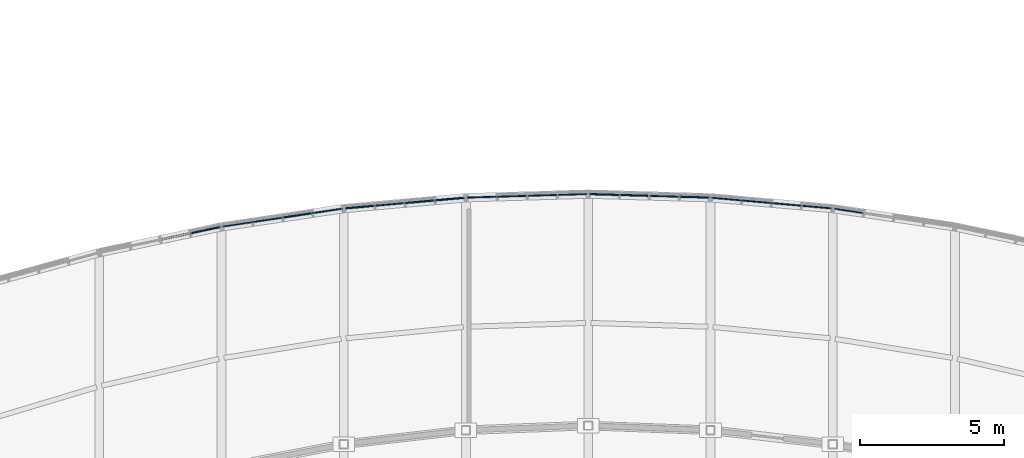
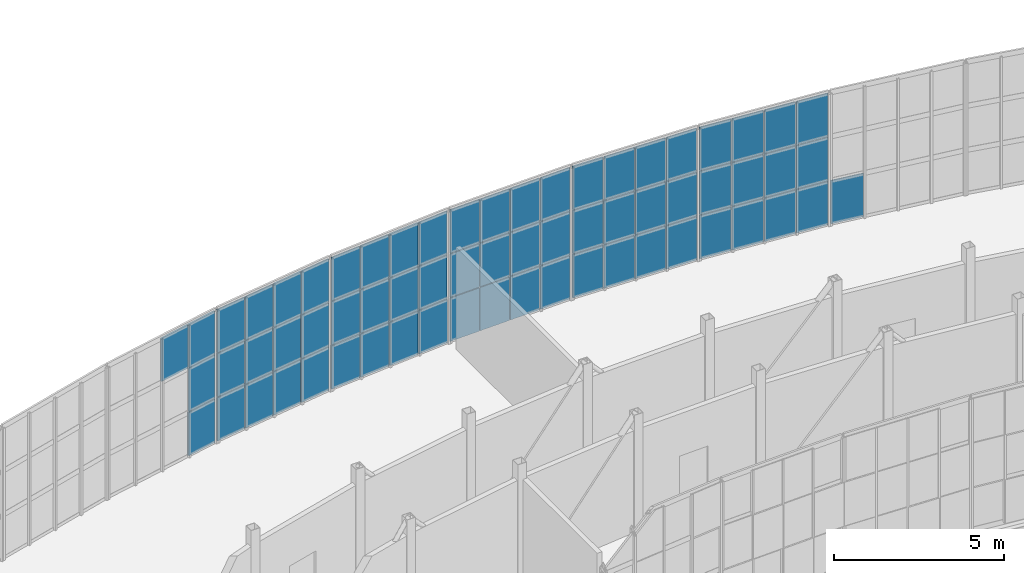
# One storey, part 60 of 86: 65 plates, 7 elements without a shape of their own.
"""IFC4 building model written with IfcOpenShell, lengths in metres."""

from ifc_helpers import new_model, si_unit, direction, frame, origin, origin_2d, place, context, subcontext, project, spatial, rectangle, extrude, material, layer, layer_set, type_object, element, aggregate, save


model = new_model("IFC4")

# Units and contexts
model_context = context("Model", 3, precision=1e-05, world=origin(), true_north=direction((0.0, 1.0)))
body_context = subcontext(model_context, "Body", "Model", "MODEL_VIEW")
ifc_project = project(units=[si_unit("LENGTHUNIT", "METRE"), si_unit("AREAUNIT", "SQUARE_METRE"), si_unit("VOLUMEUNIT", "CUBIC_METRE"), si_unit("PLANEANGLEUNIT", "RADIAN"), si_unit("MASSUNIT", "GRAM", prefix="KILO")], contexts=[model_context])

# Site, building, storey
site_placement = place(None, origin())
site = spatial("IfcSite", under=ifc_project, at=site_placement, CompositionType="ELEMENT")
building_placement = place(site_placement, origin())
building = spatial("IfcBuilding", under=site, at=building_placement, Name="Solvikara Media Centre", CompositionType="ELEMENT")
storey_placement = place(building_placement, frame((0.0, 0.0, 15.0)))
storey = spatial("IfcBuildingStorey", under=building, at=storey_placement, Name="L03", CompositionType="ELEMENT", Elevation=15.0)

# Curtain wall, plate
ifc_material_1 = material(Name="Anodised aluminium EN AW-6063", Category="aluminium")
curtain_wall_type = type_object("IfcCurtainWallType", Name="CW-02", PredefinedType="NOTDEFINED", material=ifc_material_1)
curtain_wall_1_placement = place(storey_placement, origin())
curtain_wall_1 = element("IfcCurtainWall", 1, at=curtain_wall_1_placement, inside=storey, type_object=curtain_wall_type, Name="CW-L03-NARC-02", PredefinedType="NOTDEFINED")
ifc_material_2 = material(Name="Laminated solar-control cyan vision glass", Category="glass")
ifc_layer_1 = layer(ifc_material_2, 0.035888671875)
ifc_layer_set_1 = layer_set([ifc_layer_1], Name="Laminated solar-control cyan vision glass")
plate_type_1 = type_object("IfcPlateType", Name="PN-01", PredefinedType="CURTAIN_PANEL", material=ifc_layer_set_1)
plate_1_placement = place(storey_placement, frame((88.693115234375, 40.2109375, 1.62158203125), z_axis=(0.0, 0.0, 1.0), x_axis=(0.97837923005, 0.206818959981, 0.0)))
plate_1 = element("IfcPlate", 2, at=plate_1_placement, type_object=plate_type_1, Name="CW-L03-NARC-02-P0301", PredefinedType="CURTAIN_PANEL", context=body_context, shape_type="SweptSolid", body=[
    extrude(rectangle(XDim=1.0390625, YDim=0.035888671875, at=origin_2d()), origin(), (0.0, 0.0, 1.0), 1.556884765625),
])

# Curtain wall, plates
curtain_wall_2_placement = place(storey_placement, origin())
curtain_wall_2 = element("IfcCurtainWall", 3, at=curtain_wall_2_placement, inside=storey, type_object=curtain_wall_type, Name="CW-L03-NARC-03", PredefinedType="NOTDEFINED")
plate_2_placement = place(storey_placement, frame((89.806884765625, 40.412109375, 0.03466796875), z_axis=(0.0, 0.0, 1.0), x_axis=(0.989005541908, 0.147878457102, 0.0)))
plate_2 = element("IfcPlate", 4, at=plate_2_placement, type_object=plate_type_1, Name="CW-L03-NARC-03-P0000", PredefinedType="CURTAIN_PANEL", context=body_context, shape_type="SweptSolid", body=[
    extrude(rectangle(XDim=1.027099609375, YDim=0.035888671875, at=origin_2d()), origin(), (0.0, 0.0, 1.0), 1.556884765625),
])
plate_3_placement = place(storey_placement, frame((89.806884765625, 40.412109375, 1.62158203125), z_axis=(0.0, 0.0, 1.0), x_axis=(0.989005541908, 0.147878457102, 0.0)))
plate_3 = element("IfcPlate", 5, at=plate_3_placement, type_object=plate_type_1, Name="CW-L03-NARC-03-P0001", PredefinedType="CURTAIN_PANEL", context=body_context, shape_type="SweptSolid", body=[
    extrude(rectangle(XDim=1.027099609375, YDim=0.035888671875, at=origin_2d()), origin(), (0.0, 0.0, 1.0), 1.556884765625),
])
plate_4_placement = place(storey_placement, frame((89.806884765625, 40.412109375, 3.20849609375), z_axis=(0.0, 0.0, 1.0), x_axis=(0.989005541908, 0.147878457102, 0.0)))
plate_4 = element("IfcPlate", 6, at=plate_4_placement, type_object=plate_type_1, Name="CW-L03-NARC-03-P0002", PredefinedType="CURTAIN_PANEL", context=body_context, shape_type="SweptSolid", body=[
    extrude(rectangle(XDim=1.027099609375, YDim=0.035888671875, at=origin_2d()), origin(), (0.0, 0.0, 1.0), 1.556884765625),
])
plate_5_placement = place(storey_placement, frame((90.85302734375, 40.568115234375, 1.62158203125), z_axis=(0.0, 0.0, 1.0), x_axis=(0.989005541908, 0.147878457102, 0.0)))
plate_5 = element("IfcPlate", 7, at=plate_5_placement, type_object=plate_type_1, Name="CW-L03-NARC-03-P0101", PredefinedType="CURTAIN_PANEL", context=body_context, shape_type="SweptSolid", body=[
    extrude(rectangle(XDim=1.027099609375, YDim=0.035888671875, at=origin_2d()), origin(), (0.0, 0.0, 1.0), 1.556884765625),
])
plate_6_placement = place(storey_placement, frame((91.89794921875, 40.72509765625, 0.03466796875), z_axis=(0.0, 0.0, 1.0), x_axis=(0.989005541908, 0.147878457102, 0.0)))
plate_6 = element("IfcPlate", 8, at=plate_6_placement, type_object=plate_type_1, Name="CW-L03-NARC-03-P0200", PredefinedType="CURTAIN_PANEL", context=body_context, shape_type="SweptSolid", body=[
    extrude(rectangle(XDim=1.027099609375, YDim=0.035888671875, at=origin_2d()), origin(), (0.0, 0.0, 1.0), 1.556884765625),
])
plate_7_placement = place(storey_placement, frame((91.89794921875, 40.72509765625, 1.62158203125), z_axis=(0.0, 0.0, 1.0), x_axis=(0.989005541908, 0.147878457102, 0.0)))
plate_7 = element("IfcPlate", 9, at=plate_7_placement, type_object=plate_type_1, Name="CW-L03-NARC-03-P0201", PredefinedType="CURTAIN_PANEL", context=body_context, shape_type="SweptSolid", body=[
    extrude(rectangle(XDim=1.027099609375, YDim=0.035888671875, at=origin_2d()), origin(), (0.0, 0.0, 1.0), 1.556884765625),
])
plate_8_placement = place(storey_placement, frame((92.94189453125, 40.881103515625, 0.03466796875), z_axis=(0.0, 0.0, 1.0), x_axis=(0.989005541908, 0.147878457102, 0.0)))
plate_8 = element("IfcPlate", 10, at=plate_8_placement, type_object=plate_type_1, Name="CW-L03-NARC-03-P0300", PredefinedType="CURTAIN_PANEL", context=body_context, shape_type="SweptSolid", body=[
    extrude(rectangle(XDim=1.027099609375, YDim=0.035888671875, at=origin_2d()), origin(), (0.0, 0.0, 1.0), 1.556884765625),
])

curtain_wall_3_placement = place(storey_placement, origin())
curtain_wall_3 = element("IfcCurtainWall", 11, at=curtain_wall_3_placement, inside=storey, type_object=curtain_wall_type, Name="CW-L03-NARC-04", PredefinedType="NOTDEFINED")
plate_9_placement = place(storey_placement, frame((94.05810546875, 41.012939453125, 1.62158203125), z_axis=(0.0, 0.0, 1.0), x_axis=(0.99608438842, 0.088407528781, 0.0)))
plate_9 = element("IfcPlate", 12, at=plate_9_placement, type_object=plate_type_1, Name="CW-L03-NARC-04-P0001", PredefinedType="CURTAIN_PANEL", context=body_context, shape_type="SweptSolid", body=[
    extrude(rectangle(XDim=1.01904296875, YDim=0.035888671875, at=origin_2d()), origin(), (0.0, 0.0, 1.0), 1.556884765625),
])
plate_10_placement = place(storey_placement, frame((94.05810546875, 41.012939453125, 3.20849609375), z_axis=(0.0, 0.0, 1.0), x_axis=(0.99608438842, 0.088407528781, 0.0)))
plate_10 = element("IfcPlate", 13, at=plate_10_placement, type_object=plate_type_1, Name="CW-L03-NARC-04-P0002", PredefinedType="CURTAIN_PANEL", context=body_context, shape_type="SweptSolid", body=[
    extrude(rectangle(XDim=1.01904296875, YDim=0.035888671875, at=origin_2d()), origin(), (0.0, 0.0, 1.0), 1.556884765625),
])
plate_11_placement = place(storey_placement, frame((95.10302734375, 41.10595703125, 1.62158203125), z_axis=(0.0, 0.0, 1.0), x_axis=(0.99608438842, 0.088407528781, 0.0)))
plate_11 = element("IfcPlate", 14, at=plate_11_placement, type_object=plate_type_1, Name="CW-L03-NARC-04-P0101", PredefinedType="CURTAIN_PANEL", context=body_context, shape_type="SweptSolid", body=[
    extrude(rectangle(XDim=1.01904296875, YDim=0.035888671875, at=origin_2d()), origin(), (0.0, 0.0, 1.0), 1.556884765625),
])
plate_12_placement = place(storey_placement, frame((97.193115234375, 41.2919921875, 3.20849609375), z_axis=(0.0, 0.0, 1.0), x_axis=(0.99608438842, 0.088407528781, 0.0)))
plate_12 = element("IfcPlate", 15, at=plate_12_placement, type_object=plate_type_1, Name="CW-L03-NARC-04-P0302", PredefinedType="CURTAIN_PANEL", context=body_context, shape_type="SweptSolid", body=[
    extrude(rectangle(XDim=1.01904296875, YDim=0.035888671875, at=origin_2d()), origin(), (0.0, 0.0, 1.0), 1.556884765625),
])

curtain_wall_4_placement = place(storey_placement, origin())
curtain_wall_4 = element("IfcCurtainWall", 16, at=curtain_wall_4_placement, inside=storey, type_object=curtain_wall_type, Name="CW-L03-NARC-05", PredefinedType="NOTDEFINED")
plate_13_placement = place(storey_placement, frame((99.35205078125, 41.387939453125, 0.03466796875), z_axis=(0.0, 0.0, 1.0), x_axis=(0.999560377741, 0.02964879847, 0.0)))
plate_13 = element("IfcPlate", 17, at=plate_13_placement, type_object=plate_type_1, Name="CW-L03-NARC-05-P0100", PredefinedType="CURTAIN_PANEL", context=body_context, shape_type="SweptSolid", body=[
    extrude(rectangle(XDim=1.014892578125, YDim=0.035888671875, at=origin_2d()), origin(), (0.0, 0.0, 1.0), 1.556884765625),
])
plate_14_placement = place(storey_placement, frame((99.35205078125, 41.387939453125, 3.20849609375), z_axis=(0.0, 0.0, 1.0), x_axis=(0.999560377741, 0.02964879847, 0.0)))
plate_14 = element("IfcPlate", 18, at=plate_14_placement, type_object=plate_type_1, Name="CW-L03-NARC-05-P0102", PredefinedType="CURTAIN_PANEL", context=body_context, shape_type="SweptSolid", body=[
    extrude(rectangle(XDim=1.014892578125, YDim=0.035888671875, at=origin_2d()), origin(), (0.0, 0.0, 1.0), 1.556884765625),
])
plate_15_placement = place(storey_placement, frame((100.39794921875, 41.419921875, 0.03466796875), z_axis=(0.0, 0.0, 1.0), x_axis=(0.999560377741, 0.02964879847, 0.0)))
plate_15 = element("IfcPlate", 19, at=plate_15_placement, type_object=plate_type_1, Name="CW-L03-NARC-05-P0200", PredefinedType="CURTAIN_PANEL", context=body_context, shape_type="SweptSolid", body=[
    extrude(rectangle(XDim=1.014892578125, YDim=0.035888671875, at=origin_2d()), origin(), (0.0, 0.0, 1.0), 1.556884765625),
])
plate_16_placement = place(storey_placement, frame((100.39794921875, 41.419921875, 1.62158203125), z_axis=(0.0, 0.0, 1.0), x_axis=(0.999560377741, 0.02964879847, 0.0)))
plate_16 = element("IfcPlate", 20, at=plate_16_placement, type_object=plate_type_1, Name="CW-L03-NARC-05-P0201", PredefinedType="CURTAIN_PANEL", context=body_context, shape_type="SweptSolid", body=[
    extrude(rectangle(XDim=1.014892578125, YDim=0.035888671875, at=origin_2d()), origin(), (0.0, 0.0, 1.0), 1.556884765625),
])
plate_17_placement = place(storey_placement, frame((101.44189453125, 41.449951171875, 0.03466796875), z_axis=(0.0, 0.0, 1.0), x_axis=(0.999560377741, 0.02964879847, 0.0)))
plate_17 = element("IfcPlate", 21, at=plate_17_placement, type_object=plate_type_1, Name="CW-L03-NARC-05-P0300", PredefinedType="CURTAIN_PANEL", context=body_context, shape_type="SweptSolid", body=[
    extrude(rectangle(XDim=1.014892578125, YDim=0.035888671875, at=origin_2d()), origin(), (0.0, 0.0, 1.0), 1.556884765625),
])
plate_18_placement = place(storey_placement, frame((101.44189453125, 41.449951171875, 3.20849609375), z_axis=(0.0, 0.0, 1.0), x_axis=(0.999560377741, 0.02964879847, 0.0)))
plate_18 = element("IfcPlate", 22, at=plate_18_placement, type_object=plate_type_1, Name="CW-L03-NARC-05-P0302", PredefinedType="CURTAIN_PANEL", context=body_context, shape_type="SweptSolid", body=[
    extrude(rectangle(XDim=1.014892578125, YDim=0.035888671875, at=origin_2d()), origin(), (0.0, 0.0, 1.0), 1.556884765625),
])

curtain_wall_5_placement = place(storey_placement, origin())
curtain_wall_5 = element("IfcCurtainWall", 23, at=curtain_wall_5_placement, inside=storey, type_object=curtain_wall_type, Name="CW-L03-NARC-06", PredefinedType="NOTDEFINED")
plate_19_placement = place(storey_placement, frame((102.55810546875, 41.449951171875, 1.62158203125), z_axis=(0.0, 0.0, 1.0), x_axis=(0.999560377741, -0.02964879847, 0.0)))
plate_19 = element("IfcPlate", 24, at=plate_19_placement, type_object=plate_type_1, Name="CW-L03-NARC-06-P0001", PredefinedType="CURTAIN_PANEL", context=body_context, shape_type="SweptSolid", body=[
    extrude(rectangle(XDim=1.014892578125, YDim=0.035888671875, at=origin_2d()), origin(), (0.0, 0.0, 1.0), 1.556884765625),
])
plate_20_placement = place(storey_placement, frame((103.60205078125, 41.419921875, 3.20849609375), z_axis=(0.0, 0.0, 1.0), x_axis=(0.999560377741, -0.02964879847, 0.0)))
plate_20 = element("IfcPlate", 25, at=plate_20_placement, type_object=plate_type_1, Name="CW-L03-NARC-06-P0102", PredefinedType="CURTAIN_PANEL", context=body_context, shape_type="SweptSolid", body=[
    extrude(rectangle(XDim=1.014892578125, YDim=0.035888671875, at=origin_2d()), origin(), (0.0, 0.0, 1.0), 1.556884765625),
])
plate_21_placement = place(storey_placement, frame((104.64794921875, 41.387939453125, 0.03466796875), z_axis=(0.0, 0.0, 1.0), x_axis=(0.999560377741, -0.02964879847, 0.0)))
plate_21 = element("IfcPlate", 26, at=plate_21_placement, type_object=plate_type_1, Name="CW-L03-NARC-06-P0200", PredefinedType="CURTAIN_PANEL", context=body_context, shape_type="SweptSolid", body=[
    extrude(rectangle(XDim=1.014892578125, YDim=0.035888671875, at=origin_2d()), origin(), (0.0, 0.0, 1.0), 1.556884765625),
])
plate_22_placement = place(storey_placement, frame((105.69189453125, 41.35791015625, 3.20849609375), z_axis=(0.0, 0.0, 1.0), x_axis=(0.999560377741, -0.02964879847, 0.0)))
plate_22 = element("IfcPlate", 27, at=plate_22_placement, type_object=plate_type_1, Name="CW-L03-NARC-06-P0302", PredefinedType="CURTAIN_PANEL", context=body_context, shape_type="SweptSolid", body=[
    extrude(rectangle(XDim=1.014892578125, YDim=0.035888671875, at=origin_2d()), origin(), (0.0, 0.0, 1.0), 1.556884765625),
])

curtain_wall_6_placement = place(storey_placement, origin())
curtain_wall_6 = element("IfcCurtainWall", 28, at=curtain_wall_6_placement, inside=storey, type_object=curtain_wall_type, Name="CW-L03-NARC-07", PredefinedType="NOTDEFINED")
plate_23_placement = place(storey_placement, frame((107.85302734375, 41.198974609375, 0.03466796875), z_axis=(0.0, 0.0, 1.0), x_axis=(0.99608438842, -0.088407528781, 0.0)))
plate_23 = element("IfcPlate", 29, at=plate_23_placement, type_object=plate_type_1, Name="CW-L03-NARC-07-P0100", PredefinedType="CURTAIN_PANEL", context=body_context, shape_type="SweptSolid", body=[
    extrude(rectangle(XDim=1.01904296875, YDim=0.035888671875, at=origin_2d()), origin(), (0.0, 0.0, 1.0), 1.556884765625),
])
plate_24_placement = place(storey_placement, frame((107.85302734375, 41.198974609375, 3.20849609375), z_axis=(0.0, 0.0, 1.0), x_axis=(0.99608438842, -0.088407528781, 0.0)))
plate_24 = element("IfcPlate", 30, at=plate_24_placement, type_object=plate_type_1, Name="CW-L03-NARC-07-P0102", PredefinedType="CURTAIN_PANEL", context=body_context, shape_type="SweptSolid", body=[
    extrude(rectangle(XDim=1.01904296875, YDim=0.035888671875, at=origin_2d()), origin(), (0.0, 0.0, 1.0), 1.556884765625),
])
plate_25_placement = place(storey_placement, frame((109.943115234375, 41.012939453125, 1.62158203125), z_axis=(0.0, 0.0, 1.0), x_axis=(0.99608438842, -0.088407528781, 0.0)))
plate_25 = element("IfcPlate", 31, at=plate_25_placement, type_object=plate_type_1, Name="CW-L03-NARC-07-P0301", PredefinedType="CURTAIN_PANEL", context=body_context, shape_type="SweptSolid", body=[
    extrude(rectangle(XDim=1.01904296875, YDim=0.035888671875, at=origin_2d()), origin(), (0.0, 0.0, 1.0), 1.556884765625),
])
plate_26_placement = place(storey_placement, frame((109.943115234375, 41.012939453125, 3.20849609375), z_axis=(0.0, 0.0, 1.0), x_axis=(0.99608438842, -0.088407528781, 0.0)))
plate_26 = element("IfcPlate", 32, at=plate_26_placement, type_object=plate_type_1, Name="CW-L03-NARC-07-P0302", PredefinedType="CURTAIN_PANEL", context=body_context, shape_type="SweptSolid", body=[
    extrude(rectangle(XDim=1.01904296875, YDim=0.035888671875, at=origin_2d()), origin(), (0.0, 0.0, 1.0), 1.556884765625),
])

# Curtain wall, plate
curtain_wall_7_placement = place(storey_placement, origin())
curtain_wall_7 = element("IfcCurtainWall", 33, at=curtain_wall_7_placement, inside=storey, type_object=curtain_wall_type, Name="CW-L03-NARC-08", PredefinedType="NOTDEFINED")
plate_27_placement = place(storey_placement, frame((111.056884765625, 40.881103515625, 0.03466796875), z_axis=(0.0, 0.0, 1.0), x_axis=(0.989005541908, -0.147878457102, 0.0)))
plate_27 = element("IfcPlate", 34, at=plate_27_placement, type_object=plate_type_1, Name="CW-L03-NARC-08-P0000", PredefinedType="CURTAIN_PANEL", context=body_context, shape_type="SweptSolid", body=[
    extrude(rectangle(XDim=1.027099609375, YDim=0.035888671875, at=origin_2d()), origin(), (0.0, 0.0, 1.0), 1.556884765625),
])
aggregate(curtain_wall_7, [plate_27])

# Plate
ifc_material_3 = material(Name="Ceramic-fritted teal low-E glass", Category="glass")
ifc_layer_2 = layer(ifc_material_3, 0.0419921875)
ifc_layer_set_2 = layer_set([ifc_layer_2], Name="Ceramic-fritted teal low-E glass")
plate_type_2 = type_object("IfcPlateType", Name="PN-02", PredefinedType="CURTAIN_PANEL", material=ifc_layer_set_2)
plate_28_placement = place(storey_placement, frame((88.693115234375, 40.2109375, 0.03466796875), z_axis=(0.0, 0.0, 1.0), x_axis=(0.97837923005, 0.206818959981, 0.0)))
plate_28 = element("IfcPlate", 35, at=plate_28_placement, type_object=plate_type_2, Name="CW-L03-NARC-02-P0300", PredefinedType="CURTAIN_PANEL", context=body_context, shape_type="SweptSolid", body=[
    extrude(rectangle(XDim=1.0390625, YDim=0.0419921875, at=origin_2d()), origin(), (0.0, 0.0, 1.0), 1.556884765625),
])

plate_29_placement = place(storey_placement, frame((90.85302734375, 40.568115234375, 0.03466796875), z_axis=(0.0, 0.0, 1.0), x_axis=(0.989005541908, 0.147878457102, 0.0)))
plate_29 = element("IfcPlate", 36, at=plate_29_placement, type_object=plate_type_2, Name="CW-L03-NARC-03-P0100", PredefinedType="CURTAIN_PANEL", context=body_context, shape_type="SweptSolid", body=[
    extrude(rectangle(XDim=1.027099609375, YDim=0.0419921875, at=origin_2d()), origin(), (0.0, 0.0, 1.0), 1.556884765625),
])

plate_30_placement = place(storey_placement, frame((90.85302734375, 40.568115234375, 3.20849609375), z_axis=(0.0, 0.0, 1.0), x_axis=(0.989005541908, 0.147878457102, 0.0)))
plate_30 = element("IfcPlate", 37, at=plate_30_placement, type_object=plate_type_2, Name="CW-L03-NARC-03-P0102", PredefinedType="CURTAIN_PANEL", context=body_context, shape_type="SweptSolid", body=[
    extrude(rectangle(XDim=1.027099609375, YDim=0.0419921875, at=origin_2d()), origin(), (0.0, 0.0, 1.0), 1.556884765625),
])

plate_31_placement = place(storey_placement, frame((92.94189453125, 40.881103515625, 1.62158203125), z_axis=(0.0, 0.0, 1.0), x_axis=(0.989005541908, 0.147878457102, 0.0)))
plate_31 = element("IfcPlate", 38, at=plate_31_placement, type_object=plate_type_2, Name="CW-L03-NARC-03-P0301", PredefinedType="CURTAIN_PANEL", context=body_context, shape_type="SweptSolid", body=[
    extrude(rectangle(XDim=1.027099609375, YDim=0.0419921875, at=origin_2d()), origin(), (0.0, 0.0, 1.0), 1.556884765625),
])

plate_32_placement = place(storey_placement, frame((92.94189453125, 40.881103515625, 3.20849609375), z_axis=(0.0, 0.0, 1.0), x_axis=(0.989005541908, 0.147878457102, 0.0)))
plate_32 = element("IfcPlate", 39, at=plate_32_placement, type_object=plate_type_2, Name="CW-L03-NARC-03-P0302", PredefinedType="CURTAIN_PANEL", context=body_context, shape_type="SweptSolid", body=[
    extrude(rectangle(XDim=1.027099609375, YDim=0.0419921875, at=origin_2d()), origin(), (0.0, 0.0, 1.0), 1.556884765625),
])

plate_33_placement = place(storey_placement, frame((95.10302734375, 41.10595703125, 0.03466796875), z_axis=(0.0, 0.0, 1.0), x_axis=(0.99608438842, 0.088407528781, 0.0)))
plate_33 = element("IfcPlate", 40, at=plate_33_placement, type_object=plate_type_2, Name="CW-L03-NARC-04-P0100", PredefinedType="CURTAIN_PANEL", context=body_context, shape_type="SweptSolid", body=[
    extrude(rectangle(XDim=1.01904296875, YDim=0.0419921875, at=origin_2d()), origin(), (0.0, 0.0, 1.0), 1.556884765625),
])

plate_34_placement = place(storey_placement, frame((95.10302734375, 41.10595703125, 3.20849609375), z_axis=(0.0, 0.0, 1.0), x_axis=(0.99608438842, 0.088407528781, 0.0)))
plate_34 = element("IfcPlate", 41, at=plate_34_placement, type_object=plate_type_2, Name="CW-L03-NARC-04-P0102", PredefinedType="CURTAIN_PANEL", context=body_context, shape_type="SweptSolid", body=[
    extrude(rectangle(XDim=1.01904296875, YDim=0.0419921875, at=origin_2d()), origin(), (0.0, 0.0, 1.0), 1.556884765625),
])

plate_35_placement = place(storey_placement, frame((96.14794921875, 41.198974609375, 1.62158203125), z_axis=(0.0, 0.0, 1.0), x_axis=(0.99608438842, 0.088407528781, 0.0)))
plate_35 = element("IfcPlate", 42, at=plate_35_placement, type_object=plate_type_2, Name="CW-L03-NARC-04-P0201", PredefinedType="CURTAIN_PANEL", context=body_context, shape_type="SweptSolid", body=[
    extrude(rectangle(XDim=1.01904296875, YDim=0.0419921875, at=origin_2d()), origin(), (0.0, 0.0, 1.0), 1.556884765625),
])

plate_36_placement = place(storey_placement, frame((97.193115234375, 41.2919921875, 1.62158203125), z_axis=(0.0, 0.0, 1.0), x_axis=(0.99608438842, 0.088407528781, 0.0)))
plate_36 = element("IfcPlate", 43, at=plate_36_placement, type_object=plate_type_2, Name="CW-L03-NARC-04-P0301", PredefinedType="CURTAIN_PANEL", context=body_context, shape_type="SweptSolid", body=[
    extrude(rectangle(XDim=1.01904296875, YDim=0.0419921875, at=origin_2d()), origin(), (0.0, 0.0, 1.0), 1.556884765625),
])

plate_37_placement = place(storey_placement, frame((98.30810546875, 41.35791015625, 0.03466796875), z_axis=(0.0, 0.0, 1.0), x_axis=(0.999560377741, 0.02964879847, 0.0)))
plate_37 = element("IfcPlate", 44, at=plate_37_placement, type_object=plate_type_2, Name="CW-L03-NARC-05-P0000", PredefinedType="CURTAIN_PANEL", context=body_context, shape_type="SweptSolid", body=[
    extrude(rectangle(XDim=1.014892578125, YDim=0.0419921875, at=origin_2d()), origin(), (0.0, 0.0, 1.0), 1.556884765625),
])

plate_38_placement = place(storey_placement, frame((98.30810546875, 41.35791015625, 1.62158203125), z_axis=(0.0, 0.0, 1.0), x_axis=(0.999560377741, 0.02964879847, 0.0)))
plate_38 = element("IfcPlate", 45, at=plate_38_placement, type_object=plate_type_2, Name="CW-L03-NARC-05-P0001", PredefinedType="CURTAIN_PANEL", context=body_context, shape_type="SweptSolid", body=[
    extrude(rectangle(XDim=1.014892578125, YDim=0.0419921875, at=origin_2d()), origin(), (0.0, 0.0, 1.0), 1.556884765625),
])

plate_39_placement = place(storey_placement, frame((98.30810546875, 41.35791015625, 3.20849609375), z_axis=(0.0, 0.0, 1.0), x_axis=(0.999560377741, 0.02964879847, 0.0)))
plate_39 = element("IfcPlate", 46, at=plate_39_placement, type_object=plate_type_2, Name="CW-L03-NARC-05-P0002", PredefinedType="CURTAIN_PANEL", context=body_context, shape_type="SweptSolid", body=[
    extrude(rectangle(XDim=1.014892578125, YDim=0.0419921875, at=origin_2d()), origin(), (0.0, 0.0, 1.0), 1.556884765625),
])

plate_40_placement = place(storey_placement, frame((99.35205078125, 41.387939453125, 1.62158203125), z_axis=(0.0, 0.0, 1.0), x_axis=(0.999560377741, 0.02964879847, 0.0)))
plate_40 = element("IfcPlate", 47, at=plate_40_placement, type_object=plate_type_2, Name="CW-L03-NARC-05-P0101", PredefinedType="CURTAIN_PANEL", context=body_context, shape_type="SweptSolid", body=[
    extrude(rectangle(XDim=1.014892578125, YDim=0.0419921875, at=origin_2d()), origin(), (0.0, 0.0, 1.0), 1.556884765625),
])

plate_41_placement = place(storey_placement, frame((100.39794921875, 41.419921875, 3.20849609375), z_axis=(0.0, 0.0, 1.0), x_axis=(0.999560377741, 0.02964879847, 0.0)))
plate_41 = element("IfcPlate", 48, at=plate_41_placement, type_object=plate_type_2, Name="CW-L03-NARC-05-P0202", PredefinedType="CURTAIN_PANEL", context=body_context, shape_type="SweptSolid", body=[
    extrude(rectangle(XDim=1.014892578125, YDim=0.0419921875, at=origin_2d()), origin(), (0.0, 0.0, 1.0), 1.556884765625),
])

plate_42_placement = place(storey_placement, frame((101.44189453125, 41.449951171875, 1.62158203125), z_axis=(0.0, 0.0, 1.0), x_axis=(0.999560377741, 0.02964879847, 0.0)))
plate_42 = element("IfcPlate", 49, at=plate_42_placement, type_object=plate_type_2, Name="CW-L03-NARC-05-P0301", PredefinedType="CURTAIN_PANEL", context=body_context, shape_type="SweptSolid", body=[
    extrude(rectangle(XDim=1.014892578125, YDim=0.0419921875, at=origin_2d()), origin(), (0.0, 0.0, 1.0), 1.556884765625),
])

aggregate(curtain_wall_4, [plate_37, plate_38, plate_39, plate_13, plate_40, plate_14, plate_15, plate_16, plate_41, plate_17, plate_42, plate_18])

plate_43_placement = place(storey_placement, frame((102.55810546875, 41.449951171875, 0.03466796875), z_axis=(0.0, 0.0, 1.0), x_axis=(0.999560377741, -0.02964879847, 0.0)))
plate_43 = element("IfcPlate", 50, at=plate_43_placement, type_object=plate_type_2, Name="CW-L03-NARC-06-P0000", PredefinedType="CURTAIN_PANEL", context=body_context, shape_type="SweptSolid", body=[
    extrude(rectangle(XDim=1.014892578125, YDim=0.0419921875, at=origin_2d()), origin(), (0.0, 0.0, 1.0), 1.556884765625),
])

plate_44_placement = place(storey_placement, frame((103.60205078125, 41.419921875, 0.03466796875), z_axis=(0.0, 0.0, 1.0), x_axis=(0.999560377741, -0.02964879847, 0.0)))
plate_44 = element("IfcPlate", 51, at=plate_44_placement, type_object=plate_type_2, Name="CW-L03-NARC-06-P0100", PredefinedType="CURTAIN_PANEL", context=body_context, shape_type="SweptSolid", body=[
    extrude(rectangle(XDim=1.014892578125, YDim=0.0419921875, at=origin_2d()), origin(), (0.0, 0.0, 1.0), 1.556884765625),
])

plate_45_placement = place(storey_placement, frame((104.64794921875, 41.387939453125, 1.62158203125), z_axis=(0.0, 0.0, 1.0), x_axis=(0.999560377741, -0.02964879847, 0.0)))
plate_45 = element("IfcPlate", 52, at=plate_45_placement, type_object=plate_type_2, Name="CW-L03-NARC-06-P0201", PredefinedType="CURTAIN_PANEL", context=body_context, shape_type="SweptSolid", body=[
    extrude(rectangle(XDim=1.014892578125, YDim=0.0419921875, at=origin_2d()), origin(), (0.0, 0.0, 1.0), 1.556884765625),
])

plate_46_placement = place(storey_placement, frame((104.64794921875, 41.387939453125, 3.20849609375), z_axis=(0.0, 0.0, 1.0), x_axis=(0.999560377741, -0.02964879847, 0.0)))
plate_46 = element("IfcPlate", 53, at=plate_46_placement, type_object=plate_type_2, Name="CW-L03-NARC-06-P0202", PredefinedType="CURTAIN_PANEL", context=body_context, shape_type="SweptSolid", body=[
    extrude(rectangle(XDim=1.014892578125, YDim=0.0419921875, at=origin_2d()), origin(), (0.0, 0.0, 1.0), 1.556884765625),
])

plate_47_placement = place(storey_placement, frame((106.80810546875, 41.2919921875, 0.03466796875), z_axis=(0.0, 0.0, 1.0), x_axis=(0.99608438842, -0.088407528781, 0.0)))
plate_47 = element("IfcPlate", 54, at=plate_47_placement, type_object=plate_type_2, Name="CW-L03-NARC-07-P0000", PredefinedType="CURTAIN_PANEL", context=body_context, shape_type="SweptSolid", body=[
    extrude(rectangle(XDim=1.01904296875, YDim=0.0419921875, at=origin_2d()), origin(), (0.0, 0.0, 1.0), 1.556884765625),
])

plate_48_placement = place(storey_placement, frame((106.80810546875, 41.2919921875, 1.62158203125), z_axis=(0.0, 0.0, 1.0), x_axis=(0.99608438842, -0.088407528781, 0.0)))
plate_48 = element("IfcPlate", 55, at=plate_48_placement, type_object=plate_type_2, Name="CW-L03-NARC-07-P0001", PredefinedType="CURTAIN_PANEL", context=body_context, shape_type="SweptSolid", body=[
    extrude(rectangle(XDim=1.01904296875, YDim=0.0419921875, at=origin_2d()), origin(), (0.0, 0.0, 1.0), 1.556884765625),
])

plate_49_placement = place(storey_placement, frame((106.80810546875, 41.2919921875, 3.20849609375), z_axis=(0.0, 0.0, 1.0), x_axis=(0.99608438842, -0.088407528781, 0.0)))
plate_49 = element("IfcPlate", 56, at=plate_49_placement, type_object=plate_type_2, Name="CW-L03-NARC-07-P0002", PredefinedType="CURTAIN_PANEL", context=body_context, shape_type="SweptSolid", body=[
    extrude(rectangle(XDim=1.01904296875, YDim=0.0419921875, at=origin_2d()), origin(), (0.0, 0.0, 1.0), 1.556884765625),
])

plate_50_placement = place(storey_placement, frame((107.85302734375, 41.198974609375, 1.62158203125), z_axis=(0.0, 0.0, 1.0), x_axis=(0.99608438842, -0.088407528781, 0.0)))
plate_50 = element("IfcPlate", 57, at=plate_50_placement, type_object=plate_type_2, Name="CW-L03-NARC-07-P0101", PredefinedType="CURTAIN_PANEL", context=body_context, shape_type="SweptSolid", body=[
    extrude(rectangle(XDim=1.01904296875, YDim=0.0419921875, at=origin_2d()), origin(), (0.0, 0.0, 1.0), 1.556884765625),
])

plate_51_placement = place(storey_placement, frame((108.89794921875, 41.10595703125, 0.03466796875), z_axis=(0.0, 0.0, 1.0), x_axis=(0.99608438842, -0.088407528781, 0.0)))
plate_51 = element("IfcPlate", 58, at=plate_51_placement, type_object=plate_type_2, Name="CW-L03-NARC-07-P0200", PredefinedType="CURTAIN_PANEL", context=body_context, shape_type="SweptSolid", body=[
    extrude(rectangle(XDim=1.01904296875, YDim=0.0419921875, at=origin_2d()), origin(), (0.0, 0.0, 1.0), 1.556884765625),
])

plate_52_placement = place(storey_placement, frame((108.89794921875, 41.10595703125, 1.62158203125), z_axis=(0.0, 0.0, 1.0), x_axis=(0.99608438842, -0.088407528781, 0.0)))
plate_52 = element("IfcPlate", 59, at=plate_52_placement, type_object=plate_type_2, Name="CW-L03-NARC-07-P0201", PredefinedType="CURTAIN_PANEL", context=body_context, shape_type="SweptSolid", body=[
    extrude(rectangle(XDim=1.01904296875, YDim=0.0419921875, at=origin_2d()), origin(), (0.0, 0.0, 1.0), 1.556884765625),
])

plate_53_placement = place(storey_placement, frame((108.89794921875, 41.10595703125, 3.20849609375), z_axis=(0.0, 0.0, 1.0), x_axis=(0.99608438842, -0.088407528781, 0.0)))
plate_53 = element("IfcPlate", 60, at=plate_53_placement, type_object=plate_type_2, Name="CW-L03-NARC-07-P0202", PredefinedType="CURTAIN_PANEL", context=body_context, shape_type="SweptSolid", body=[
    extrude(rectangle(XDim=1.01904296875, YDim=0.0419921875, at=origin_2d()), origin(), (0.0, 0.0, 1.0), 1.556884765625),
])

plate_54_placement = place(storey_placement, frame((109.943115234375, 41.012939453125, 0.03466796875), z_axis=(0.0, 0.0, 1.0), x_axis=(0.99608438842, -0.088407528781, 0.0)))
plate_54 = element("IfcPlate", 61, at=plate_54_placement, type_object=plate_type_2, Name="CW-L03-NARC-07-P0300", PredefinedType="CURTAIN_PANEL", context=body_context, shape_type="SweptSolid", body=[
    extrude(rectangle(XDim=1.01904296875, YDim=0.0419921875, at=origin_2d()), origin(), (0.0, 0.0, 1.0), 1.556884765625),
])

aggregate(curtain_wall_6, [plate_47, plate_48, plate_49, plate_23, plate_50, plate_24, plate_51, plate_52, plate_53, plate_54, plate_25, plate_26])

ifc_material_4 = material(Name="Insulated silver-pearl glass spandrel panel", Category="glass")
ifc_layer_3 = layer(ifc_material_4, 0.054931640625)
ifc_layer_set_3 = layer_set([ifc_layer_3], Name="Insulated silver-pearl glass spandrel panel")
plate_type_3 = type_object("IfcPlateType", Name="PN-03", PredefinedType="CURTAIN_PANEL", material=ifc_layer_set_3)
plate_55_placement = place(storey_placement, frame((87.64794921875, 39.990966796875, 3.20849609375), z_axis=(0.0, 0.0, 1.0), x_axis=(0.97837923005, 0.206818959981, 0.0)))
plate_55 = element("IfcPlate", 62, at=plate_55_placement, type_object=plate_type_3, Name="CW-L03-NARC-02-P0202", PredefinedType="CURTAIN_PANEL", context=body_context, shape_type="SweptSolid", body=[
    extrude(rectangle(XDim=1.0390625, YDim=0.054931640625, at=origin_2d()), origin(), (0.0, 0.0, 1.0), 1.556884765625),
])

plate_56_placement = place(storey_placement, frame((88.693115234375, 40.2109375, 3.20849609375), z_axis=(0.0, 0.0, 1.0), x_axis=(0.97837923005, 0.206818959981, 0.0)))
plate_56 = element("IfcPlate", 63, at=plate_56_placement, type_object=plate_type_3, Name="CW-L03-NARC-02-P0302", PredefinedType="CURTAIN_PANEL", context=body_context, shape_type="SweptSolid", body=[
    extrude(rectangle(XDim=1.0390625, YDim=0.054931640625, at=origin_2d()), origin(), (0.0, 0.0, 1.0), 1.556884765625),
])

aggregate(curtain_wall_1, [plate_55, plate_28, plate_1, plate_56])

plate_57_placement = place(storey_placement, frame((91.89794921875, 40.72509765625, 3.20849609375), z_axis=(0.0, 0.0, 1.0), x_axis=(0.989005541908, 0.147878457102, 0.0)))
plate_57 = element("IfcPlate", 64, at=plate_57_placement, type_object=plate_type_3, Name="CW-L03-NARC-03-P0202", PredefinedType="CURTAIN_PANEL", context=body_context, shape_type="SweptSolid", body=[
    extrude(rectangle(XDim=1.027099609375, YDim=0.054931640625, at=origin_2d()), origin(), (0.0, 0.0, 1.0), 1.556884765625),
])

aggregate(curtain_wall_2, [plate_2, plate_3, plate_4, plate_29, plate_5, plate_30, plate_6, plate_7, plate_57, plate_8, plate_31, plate_32])

plate_58_placement = place(storey_placement, frame((94.05810546875, 41.012939453125, 0.03466796875), z_axis=(0.0, 0.0, 1.0), x_axis=(0.99608438842, 0.088407528781, 0.0)))
plate_58 = element("IfcPlate", 65, at=plate_58_placement, type_object=plate_type_3, Name="CW-L03-NARC-04-P0000", PredefinedType="CURTAIN_PANEL", context=body_context, shape_type="SweptSolid", body=[
    extrude(rectangle(XDim=1.01904296875, YDim=0.054931640625, at=origin_2d()), origin(), (0.0, 0.0, 1.0), 1.556884765625),
])

plate_59_placement = place(storey_placement, frame((96.14794921875, 41.198974609375, 0.03466796875), z_axis=(0.0, 0.0, 1.0), x_axis=(0.99608438842, 0.088407528781, 0.0)))
plate_59 = element("IfcPlate", 66, at=plate_59_placement, type_object=plate_type_3, Name="CW-L03-NARC-04-P0200", PredefinedType="CURTAIN_PANEL", context=body_context, shape_type="SweptSolid", body=[
    extrude(rectangle(XDim=1.01904296875, YDim=0.054931640625, at=origin_2d()), origin(), (0.0, 0.0, 1.0), 1.556884765625),
])

plate_60_placement = place(storey_placement, frame((96.14794921875, 41.198974609375, 3.20849609375), z_axis=(0.0, 0.0, 1.0), x_axis=(0.99608438842, 0.088407528781, 0.0)))
plate_60 = element("IfcPlate", 67, at=plate_60_placement, type_object=plate_type_3, Name="CW-L03-NARC-04-P0202", PredefinedType="CURTAIN_PANEL", context=body_context, shape_type="SweptSolid", body=[
    extrude(rectangle(XDim=1.01904296875, YDim=0.054931640625, at=origin_2d()), origin(), (0.0, 0.0, 1.0), 1.556884765625),
])

plate_61_placement = place(storey_placement, frame((97.193115234375, 41.2919921875, 0.03466796875), z_axis=(0.0, 0.0, 1.0), x_axis=(0.99608438842, 0.088407528781, 0.0)))
plate_61 = element("IfcPlate", 68, at=plate_61_placement, type_object=plate_type_3, Name="CW-L03-NARC-04-P0300", PredefinedType="CURTAIN_PANEL", context=body_context, shape_type="SweptSolid", body=[
    extrude(rectangle(XDim=1.01904296875, YDim=0.054931640625, at=origin_2d()), origin(), (0.0, 0.0, 1.0), 1.556884765625),
])

aggregate(curtain_wall_3, [plate_58, plate_9, plate_10, plate_33, plate_11, plate_34, plate_59, plate_35, plate_60, plate_61, plate_36, plate_12])

plate_62_placement = place(storey_placement, frame((102.55810546875, 41.449951171875, 3.20849609375), z_axis=(0.0, 0.0, 1.0), x_axis=(0.999560377741, -0.02964879847, 0.0)))
plate_62 = element("IfcPlate", 69, at=plate_62_placement, type_object=plate_type_3, Name="CW-L03-NARC-06-P0002", PredefinedType="CURTAIN_PANEL", context=body_context, shape_type="SweptSolid", body=[
    extrude(rectangle(XDim=1.014892578125, YDim=0.054931640625, at=origin_2d()), origin(), (0.0, 0.0, 1.0), 1.556884765625),
])

plate_63_placement = place(storey_placement, frame((103.60205078125, 41.419921875, 1.62158203125), z_axis=(0.0, 0.0, 1.0), x_axis=(0.999560377741, -0.02964879847, 0.0)))
plate_63 = element("IfcPlate", 70, at=plate_63_placement, type_object=plate_type_3, Name="CW-L03-NARC-06-P0101", PredefinedType="CURTAIN_PANEL", context=body_context, shape_type="SweptSolid", body=[
    extrude(rectangle(XDim=1.014892578125, YDim=0.054931640625, at=origin_2d()), origin(), (0.0, 0.0, 1.0), 1.556884765625),
])

plate_64_placement = place(storey_placement, frame((105.69189453125, 41.35791015625, 0.03466796875), z_axis=(0.0, 0.0, 1.0), x_axis=(0.999560377741, -0.02964879847, 0.0)))
plate_64 = element("IfcPlate", 71, at=plate_64_placement, type_object=plate_type_3, Name="CW-L03-NARC-06-P0300", PredefinedType="CURTAIN_PANEL", context=body_context, shape_type="SweptSolid", body=[
    extrude(rectangle(XDim=1.014892578125, YDim=0.054931640625, at=origin_2d()), origin(), (0.0, 0.0, 1.0), 1.556884765625),
])

plate_65_placement = place(storey_placement, frame((105.69189453125, 41.35791015625, 1.62158203125), z_axis=(0.0, 0.0, 1.0), x_axis=(0.999560377741, -0.02964879847, 0.0)))
plate_65 = element("IfcPlate", 72, at=plate_65_placement, type_object=plate_type_3, Name="CW-L03-NARC-06-P0301", PredefinedType="CURTAIN_PANEL", context=body_context, shape_type="SweptSolid", body=[
    extrude(rectangle(XDim=1.014892578125, YDim=0.054931640625, at=origin_2d()), origin(), (0.0, 0.0, 1.0), 1.556884765625),
])

aggregate(curtain_wall_5, [plate_43, plate_19, plate_62, plate_44, plate_63, plate_20, plate_21, plate_45, plate_46, plate_64, plate_65, plate_22])

save(model, "model.ifc")
